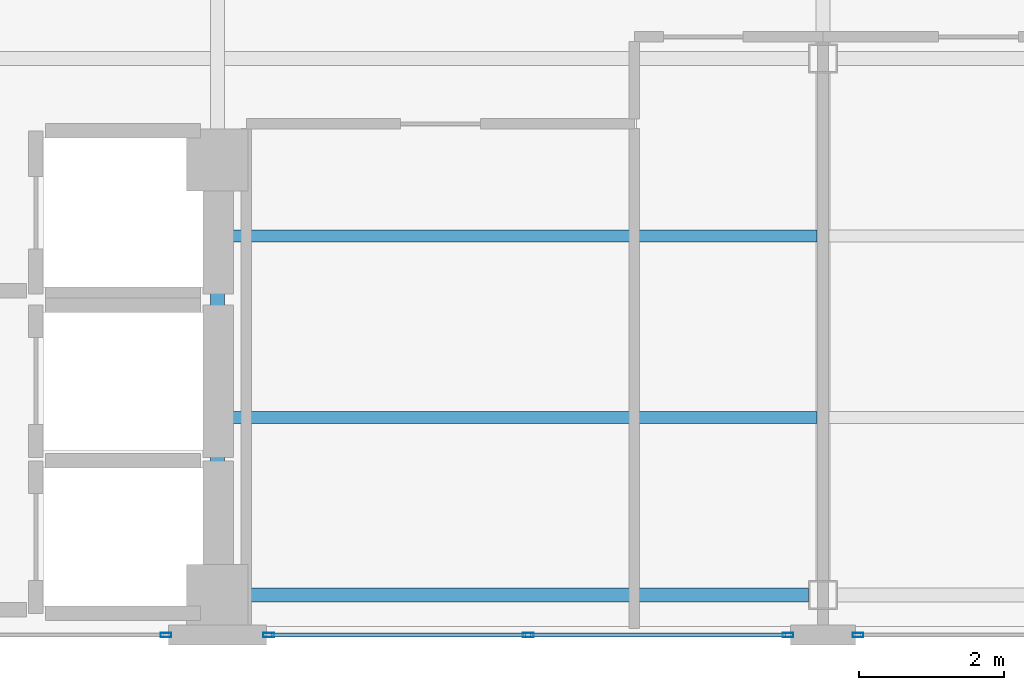
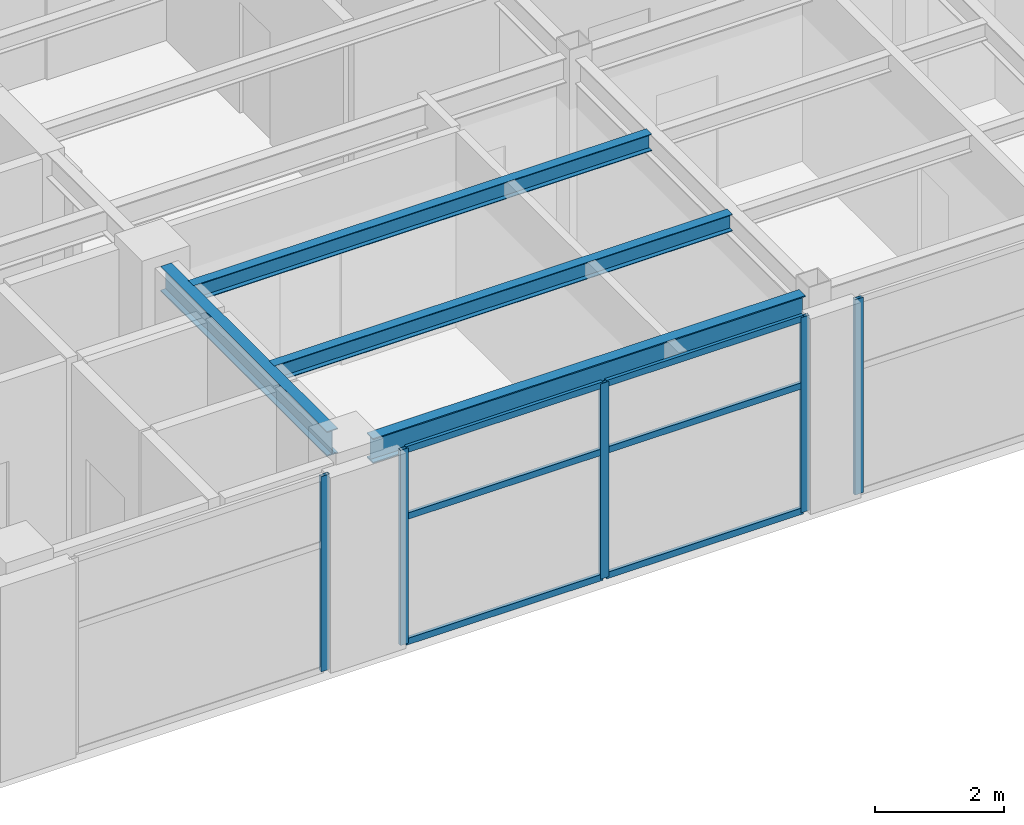
# One storey, part 4 of 15: 11 members, 4 beams, 3 elements without a shape of their own.
"""IFC4 building model written with IfcOpenShell, lengths in metres."""

from ifc_helpers import new_model, si_unit, direction, frame, origin, origin_2d, place, context, subcontext, project, spatial, hollow_rectangle, i_section, extrude, material, layer, layer_set, material_profile, profile_set, type_object, element, aggregate, save


model = new_model("IFC4")

# Units and contexts
model_context = context("Model", 3, precision=1e-05, world=origin(), true_north=direction((0.0, 1.0)))
body_context = subcontext(model_context, "Body", "Model", "MODEL_VIEW")
ifc_project = project(units=[si_unit("LENGTHUNIT", "METRE"), si_unit("AREAUNIT", "SQUARE_METRE"), si_unit("VOLUMEUNIT", "CUBIC_METRE"), si_unit("PLANEANGLEUNIT", "RADIAN"), si_unit("MASSUNIT", "GRAM", prefix="KILO")], contexts=[model_context])

# Site, building, storey
site_placement = place(None, origin())
site = spatial("IfcSite", under=ifc_project, at=site_placement, CompositionType="ELEMENT")
building_placement = place(site_placement, origin())
building = spatial("IfcBuilding", under=site, at=building_placement, Name="Mawjaban Terraces University", CompositionType="ELEMENT")
storey_placement = place(building_placement, frame((0.0, 0.0, 279.39990234375)))
storey = spatial("IfcBuildingStorey", under=building, at=storey_placement, Name="L68", CompositionType="ELEMENT", Elevation=279.39990234375)

# Beams
ifc_material_1 = material(Name="Steel ASTM A572 Grade 50", Category="steel")
ifc_material_profile_1 = material_profile(ifc_material_1, i_section(OverallWidth=0.194091796875, OverallDepth=0.468994140625, WebThickness=0.011474609375, FlangeThickness=0.0205078125, at=origin_2d()), Name="W460X106")
ifc_profile_set_1 = profile_set([ifc_material_profile_1], Name="Steel ASTM A572 Grade 50")
beam_type_1 = type_object("IfcBeamType", Name="Beam_B_W460X106", PredefinedType="BEAM", material=ifc_profile_set_1)
beam_1_placement = place(storey_placement, frame((38.074951171875, 0.550048828125, 3.455078125), z_axis=(1.0, 0.0, 0.0), x_axis=(0.0, 1.0, 0.0)))
element("IfcBeam", 1, at=beam_1_placement, inside=storey, type_object=beam_type_1, Name="L68 Beam BM-L68-EW-01", PredefinedType="BEAM", context=body_context, shape_type="SweptSolid", body=[
    extrude(i_section(OverallWidth=0.194091796875, OverallDepth=0.468994140625, WebThickness=0.011474609375, FlangeThickness=0.0205078125, at=origin_2d()), origin(), (0.0, 0.0, 1.0), 7.72509765625),
])
beam_2_placement = place(storey_placement, frame((37.64990234375, 0.97509765625, 3.455078125), z_axis=(0.0, 1.0, 0.0), x_axis=(-1.0, 0.0, 0.0)))
element("IfcBeam", 2, at=beam_2_placement, inside=storey, type_object=beam_type_1, Name="L68 Beam BM-L68-NS-04", PredefinedType="BEAM", context=body_context, shape_type="SweptSolid", body=[
    extrude(i_section(OverallWidth=0.194091796875, OverallDepth=0.468994140625, WebThickness=0.011474609375, FlangeThickness=0.0205078125, at=origin_2d()), origin(), (0.0, 0.0, 1.0), 5.14990234375),
])
ifc_material_profile_2 = material_profile(ifc_material_1, i_section(OverallWidth=0.1669921875, OverallDepth=0.318115234375, WebThickness=0.007568359375, FlangeThickness=0.01318359375, at=origin_2d()), Name="W310X52")
ifc_profile_set_2 = profile_set([ifc_material_profile_2], Name="Steel ASTM A572 Grade 50")
beam_type_2 = type_object("IfcBeamType", Name="Beam_J_W310X52", PredefinedType="JOIST", material=ifc_profile_set_2)
for number, where, z_axis, x_axis, name in (
    (3, (37.72998046875, 3.0, 3.531005859375), (1.0, 0.0, 0.0), (0.0, 1.0, 0.0), "L68 Composite Joist JST-L68-01"),
    (4, (37.72998046875, 5.5, 3.531005859375), (1.0, 0.0, 0.0), (0.0, 1.0, 0.0), "L68 Composite Joist JST-L68-03"),
):
    element("IfcBeam", number, at=place(storey_placement, frame(where, z_axis=z_axis, x_axis=x_axis)), inside=storey, type_object=beam_type_2, Name=name, PredefinedType="JOIST", context=body_context, shape_type="SweptSolid", body=[
        extrude(i_section(OverallWidth=0.1669921875, OverallDepth=0.318115234375, WebThickness=0.007568359375, FlangeThickness=0.01318359375, at=origin_2d()), origin(), (0.0, 0.0, 1.0), 8.18994140625),
    ])

# Curtain wall, member
ifc_material_2 = material(Name="Anodised aluminium 6063-T6 and solar-control low-E glass", Category="aluminium")
ifc_layer = layer(ifc_material_2, 0.159912109375)
ifc_layer_set = layer_set([ifc_layer], Name="Anodised aluminium 6063-T6 and solar-control low-E glass")
curtain_wall_type = type_object("IfcCurtainWallType", Name="CWSystem_03_NorthWing", PredefinedType="NOTDEFINED", material=ifc_layer_set)
curtain_wall_1_placement = place(storey_placement, origin())
curtain_wall_1 = element("IfcCurtainWall", 5, at=curtain_wall_1_placement, inside=storey, type_object=curtain_wall_type, Name="L68 Curtain Wall CW-03 Run 1.2", PredefinedType="NOTDEFINED")
ifc_material_3 = material(Name="Anodised aluminium 6063-T6", Category="aluminium")
ifc_material_profile_3 = material_profile(ifc_material_3, hollow_rectangle(XDim=0.06005859375, YDim=0.14990234375, WallThickness=0.00390625, at=origin_2d()), Name="ALU150X60X4")
ifc_profile_set_3 = profile_set([ifc_material_profile_3], Name="Anodised aluminium 6063-T6")
member_type_1 = type_object("IfcMemberType", Name="Mullion_CW-03", PredefinedType="MULLION", material=ifc_profile_set_3)
member_1_placement = place(storey_placement, frame((36.9423828125, 0.0, 0.0), z_axis=(0.0, 0.0, 1.0), x_axis=(0.0, 1.0, 0.0)))
member_1 = element("IfcMember", 6, at=member_1_placement, type_object=member_type_1, Name="CW-03 mullion 2", PredefinedType="MULLION", context=body_context, shape_type="SweptSolid", body=[
    extrude(hollow_rectangle(XDim=0.06005859375, YDim=0.14990234375, WallThickness=0.00390625, at=origin_2d()), origin(), (0.0, 0.0, 1.0), 3.690185546875),
])
aggregate(curtain_wall_1, [member_1])

# Curtain wall, members
curtain_wall_2_placement = place(storey_placement, origin())
curtain_wall_2 = element("IfcCurtainWall", 7, at=curtain_wall_2_placement, inside=storey, type_object=curtain_wall_type, Name="L68 Curtain Wall CW-03 Run 1.3", PredefinedType="NOTDEFINED")
member_2_placement = place(storey_placement, frame((38.357421875, 0.0, 0.0), z_axis=(0.0, 0.0, 1.0), x_axis=(0.0, 1.0, 0.0)))
member_2 = element("IfcMember", 8, at=member_2_placement, type_object=member_type_1, Name="CW-03 mullion 1", PredefinedType="MULLION", context=body_context, shape_type="SweptSolid", body=[
    extrude(hollow_rectangle(XDim=0.06005859375, YDim=0.14990234375, WallThickness=0.00390625, at=origin_2d()), origin(), (0.0, 0.0, 1.0), 3.690185546875),
])
member_3_placement = place(storey_placement, frame((41.9375, 0.0, 0.0), z_axis=(0.0, 0.0, 1.0), x_axis=(0.0, 1.0, 0.0)))
member_3 = element("IfcMember", 9, at=member_3_placement, type_object=member_type_1, Name="CW-03 mullion 2", PredefinedType="MULLION", context=body_context, shape_type="SweptSolid", body=[
    extrude(hollow_rectangle(XDim=0.06005859375, YDim=0.14990234375, WallThickness=0.00390625, at=origin_2d()), origin(), (0.0, 0.0, 1.0), 3.690185546875),
])
member_4_placement = place(storey_placement, frame((45.517578125, 0.0, 0.0), z_axis=(0.0, 0.0, 1.0), x_axis=(0.0, 1.0, 0.0)))
member_4 = element("IfcMember", 10, at=member_4_placement, type_object=member_type_1, Name="CW-03 mullion 3", PredefinedType="MULLION", context=body_context, shape_type="SweptSolid", body=[
    extrude(hollow_rectangle(XDim=0.06005859375, YDim=0.14990234375, WallThickness=0.00390625, at=origin_2d()), origin(), (0.0, 0.0, 1.0), 3.690185546875),
])

# Curtain wall, member
curtain_wall_3_placement = place(storey_placement, origin())
curtain_wall_3 = element("IfcCurtainWall", 11, at=curtain_wall_3_placement, inside=storey, type_object=curtain_wall_type, Name="L68 Curtain Wall CW-03 Run 1.4", PredefinedType="NOTDEFINED")
member_5_placement = place(storey_placement, frame((46.482421875, 0.0, 0.0), z_axis=(0.0, 0.0, 1.0), x_axis=(0.0, 1.0, 0.0)))
member_5 = element("IfcMember", 12, at=member_5_placement, type_object=member_type_1, Name="CW-03 mullion 1", PredefinedType="MULLION", context=body_context, shape_type="SweptSolid", body=[
    extrude(hollow_rectangle(XDim=0.06005859375, YDim=0.14990234375, WallThickness=0.00390625, at=origin_2d()), origin(), (0.0, 0.0, 1.0), 3.690185546875),
])
aggregate(curtain_wall_3, [member_5])

# Member
ifc_material_profile_4 = material_profile(ifc_material_3, hollow_rectangle(XDim=0.06005859375, YDim=0.1201171875, WallThickness=0.00341796875, at=origin_2d()), Name="ALU120X60X3.5")
ifc_profile_set_4 = profile_set([ifc_material_profile_4], Name="Anodised aluminium 6063-T6")
member_type_2 = type_object("IfcMemberType", Name="Transom_CW-03", PredefinedType="NOTDEFINED", material=ifc_profile_set_4)
member_6_placement = place(storey_placement, frame((38.389892578125, 0.0, 0.030029296875), z_axis=(1.0, 0.0, 0.0), x_axis=(0.0, 1.0, 0.0)))
member_6 = element("IfcMember", 13, at=member_6_placement, type_object=member_type_2, Name="CW-03 transom 1.1", ObjectType="TRANSOM", PredefinedType="USERDEFINED", context=body_context, shape_type="SweptSolid", body=[
    extrude(hollow_rectangle(XDim=0.06005859375, YDim=0.1201171875, WallThickness=0.00341796875, at=origin_2d()), origin(), (0.0, 0.0, 1.0), 3.51513671875),
])

member_7_placement = place(storey_placement, frame((38.389892578125, 0.0, 2.398193359375), z_axis=(1.0, 0.0, 0.0), x_axis=(0.0, 1.0, 0.0)))
member_7 = element("IfcMember", 14, at=member_7_placement, type_object=member_type_2, Name="CW-03 transom 1.2", ObjectType="TRANSOM", PredefinedType="USERDEFINED", context=body_context, shape_type="SweptSolid", body=[
    extrude(hollow_rectangle(XDim=0.06005859375, YDim=0.1201171875, WallThickness=0.00341796875, at=origin_2d()), origin(), (0.0, 0.0, 1.0), 3.51513671875),
])

member_8_placement = place(storey_placement, frame((38.389892578125, 0.0, 3.66015625), z_axis=(1.0, 0.0, 0.0), x_axis=(0.0, 1.0, 0.0)))
member_8 = element("IfcMember", 15, at=member_8_placement, type_object=member_type_2, Name="CW-03 transom 1.3", ObjectType="TRANSOM", PredefinedType="USERDEFINED", context=body_context, shape_type="SweptSolid", body=[
    extrude(hollow_rectangle(XDim=0.06005859375, YDim=0.1201171875, WallThickness=0.00341796875, at=origin_2d()), origin(), (0.0, 0.0, 1.0), 3.51513671875),
])

member_9_placement = place(storey_placement, frame((41.969970703125, 0.0, 0.030029296875), z_axis=(1.0, 0.0, 0.0), x_axis=(0.0, 1.0, 0.0)))
member_9 = element("IfcMember", 16, at=member_9_placement, type_object=member_type_2, Name="CW-03 transom 2.1", ObjectType="TRANSOM", PredefinedType="USERDEFINED", context=body_context, shape_type="SweptSolid", body=[
    extrude(hollow_rectangle(XDim=0.06005859375, YDim=0.1201171875, WallThickness=0.00341796875, at=origin_2d()), origin(), (0.0, 0.0, 1.0), 3.51513671875),
])

member_10_placement = place(storey_placement, frame((41.969970703125, 0.0, 2.398193359375), z_axis=(1.0, 0.0, 0.0), x_axis=(0.0, 1.0, 0.0)))
member_10 = element("IfcMember", 17, at=member_10_placement, type_object=member_type_2, Name="CW-03 transom 2.2", ObjectType="TRANSOM", PredefinedType="USERDEFINED", context=body_context, shape_type="SweptSolid", body=[
    extrude(hollow_rectangle(XDim=0.06005859375, YDim=0.1201171875, WallThickness=0.00341796875, at=origin_2d()), origin(), (0.0, 0.0, 1.0), 3.51513671875),
])

member_11_placement = place(storey_placement, frame((41.969970703125, 0.0, 3.66015625), z_axis=(1.0, 0.0, 0.0), x_axis=(0.0, 1.0, 0.0)))
member_11 = element("IfcMember", 18, at=member_11_placement, type_object=member_type_2, Name="CW-03 transom 2.3", ObjectType="TRANSOM", PredefinedType="USERDEFINED", context=body_context, shape_type="SweptSolid", body=[
    extrude(hollow_rectangle(XDim=0.06005859375, YDim=0.1201171875, WallThickness=0.00341796875, at=origin_2d()), origin(), (0.0, 0.0, 1.0), 3.51513671875),
])

aggregate(curtain_wall_2, [member_2, member_3, member_4, member_6, member_7, member_8, member_9, member_10, member_11])

save(model, "model.ifc")
